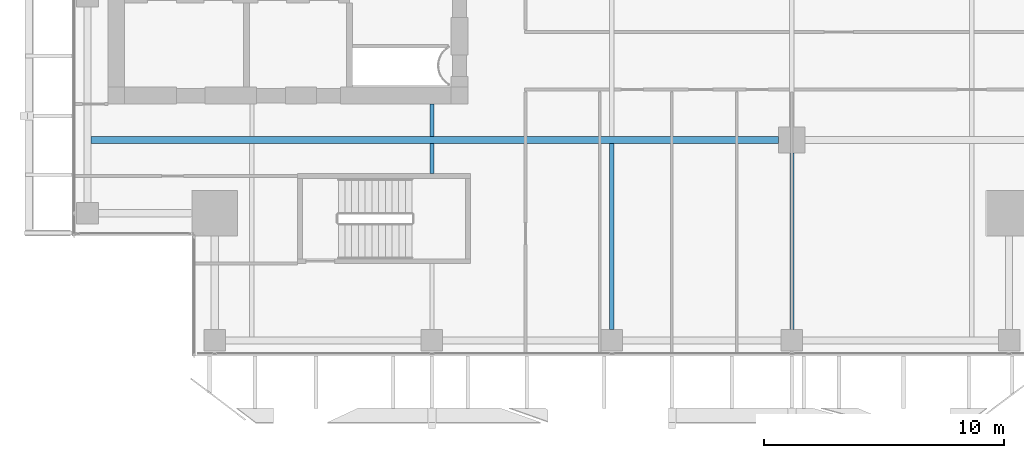
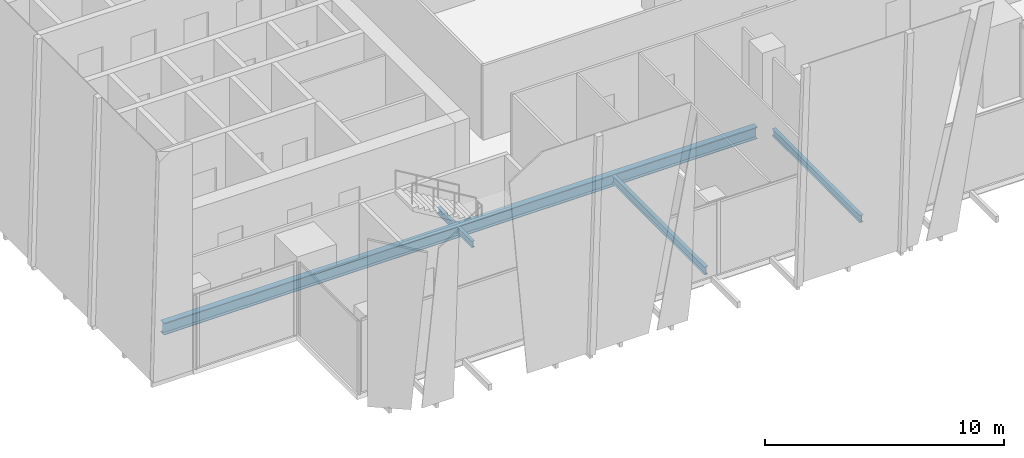
# One storey, part 5 of 35: 5 beams.
"""IFC4 building model written with IfcOpenShell, lengths in metres."""

from ifc_helpers import new_model, si_unit, direction, frame, origin, origin_2d, place, context, subcontext, project, spatial, i_section, extrude, source, transform, mapped, material, material_profile, profile_set, type_object, element, save


model = new_model("IFC4")

# Units and contexts
model_context = context("Model", 3, precision=1e-05, world=origin(), true_north=direction((0.0, 1.0)))
body_context = subcontext(model_context, "Body", "Model", "MODEL_VIEW")
ifc_project = project(units=[si_unit("LENGTHUNIT", "METRE"), si_unit("AREAUNIT", "SQUARE_METRE"), si_unit("VOLUMEUNIT", "CUBIC_METRE"), si_unit("PLANEANGLEUNIT", "RADIAN"), si_unit("MASSUNIT", "GRAM", prefix="KILO")], contexts=[model_context])

# Site, building, storey
site_placement = place(None, origin())
site = spatial("IfcSite", under=ifc_project, at=site_placement, CompositionType="ELEMENT")
building_placement = place(site_placement, origin())
building = spatial("IfcBuilding", under=site, at=building_placement, Name="Khomas Fold Tower", CompositionType="ELEMENT")
storey_placement = place(building_placement, frame((0.0, 0.0, 246.199951171875)))
storey = spatial("IfcBuildingStorey", under=building, at=storey_placement, Name="L55", CompositionType="ELEMENT", Elevation=246.199951171875)

# Beams
ifc_material_1 = material(Name="Steel S355", Category="steel")
ifc_material_profile_1 = material_profile(ifc_material_1, i_section(OverallWidth=0.159912109375, OverallDepth=0.330078125, WebThickness=0.007568359375, FlangeThickness=0.011474609375, at=origin_2d()), Name="IPE 330")
ifc_profile_set_1 = profile_set([ifc_material_profile_1], Name="Steel S355")
beam_type_1 = type_object("IfcBeamType", Name="IPE 330 beam JB1", PredefinedType="BEAM", material=ifc_profile_set_1)
shared_shape_1 = source(origin(), body_context, "Body", "SweptSolid", [
    extrude(i_section(OverallWidth=0.159912109375, OverallDepth=0.330078125, WebThickness=0.007568359375, FlangeThickness=0.011474609375, at=origin_2d()), origin(), (0.0, 0.0, 1.0), 1.25),
])
beam_1_placement = place(storey_placement, frame((19.5, 12.10009765625, -0.4150390625), z_axis=(0.0, 1.0, 0.0), x_axis=(-1.0, 0.0, 0.0)))
element("IfcBeam", 1, at=beam_1_placement, inside=storey, type_object=beam_type_1, Name="JB1", PredefinedType="BEAM", context=body_context, shape_type="MappedRepresentation", body=[
    mapped(shared_shape_1, transform((0.0, 0.0, 0.0))),
])
shared_shape_2 = source(origin(), body_context, "Body", "SweptSolid", [
    extrude(i_section(OverallWidth=0.159912109375, OverallDepth=0.330078125, WebThickness=0.007568359375, FlangeThickness=0.011474609375, at=origin_2d()), origin(), (0.0, 0.0, 1.0), 1.35009765625),
])
beam_2_placement = place(storey_placement, frame((19.5, 13.64990234375, -0.4150390625), z_axis=(0.0, 1.0, 0.0), x_axis=(-1.0, 0.0, 0.0)))
element("IfcBeam", 2, at=beam_2_placement, inside=storey, type_object=beam_type_1, Name="JB1", PredefinedType="BEAM", context=body_context, shape_type="MappedRepresentation", body=[
    mapped(shared_shape_2, transform((0.0, 0.0, 0.0))),
])
ifc_material_2 = material(Name="Steel S355", Category="steel")
ifc_material_profile_2 = material_profile(ifc_material_2, i_section(OverallWidth=0.300048828125, OverallDepth=0.60009765625, WebThickness=0.015380859375, FlangeThickness=0.030029296875, at=origin_2d()), Name="HE 600 B")
ifc_profile_set_2 = profile_set([ifc_material_profile_2], Name="Steel S355")
beam_type_2 = type_object("IfcBeamType", Name="HE 600 B beam GB5", PredefinedType="BEAM", material=ifc_profile_set_2)
shared_shape_3 = source(origin(), body_context, "Body", "SweptSolid", [
    extrude(i_section(OverallWidth=0.300048828125, OverallDepth=0.60009765625, WebThickness=0.015380859375, FlangeThickness=0.030029296875, at=origin_2d()), origin(), (0.0, 0.0, 1.0), 28.64990234375),
])
beam_3_placement = place(storey_placement, frame((5.300048828125, 13.5, -0.550048828125), z_axis=(1.0, 0.0, 0.0), x_axis=(0.0, 1.0, 0.0)))
element("IfcBeam", 3, at=beam_3_placement, inside=storey, type_object=beam_type_2, Name="GB5", PredefinedType="BEAM", context=body_context, shape_type="MappedRepresentation", body=[
    mapped(shared_shape_3, transform((0.0, 0.0, 0.0))),
])
ifc_material_3 = material(Name="Steel S355", Category="steel")
ifc_material_profile_3 = material_profile(ifc_material_3, i_section(OverallWidth=0.179931640625, OverallDepth=0.39990234375, WebThickness=0.008544921875, FlangeThickness=0.013427734375, at=origin_2d()), Name="IPE 400")
ifc_profile_set_3 = profile_set([ifc_material_profile_3], Name="Steel S355")
beam_type_3 = type_object("IfcBeamType", Name="IPE 400 beam JB3", PredefinedType="BEAM", material=ifc_profile_set_3)
shared_shape_4 = source(origin(), body_context, "Body", "SweptSolid", [
    extrude(i_section(OverallWidth=0.179931640625, OverallDepth=0.39990234375, WebThickness=0.008544921875, FlangeThickness=0.013427734375, at=origin_2d()), origin(), (0.0, 0.0, 1.0), 7.75),
])
beam_4_placement = place(storey_placement, frame((27.0, 5.60009765625, -0.449951171875), z_axis=(0.0, 1.0, 0.0), x_axis=(-1.0, 0.0, 0.0)))
element("IfcBeam", 4, at=beam_4_placement, inside=storey, type_object=beam_type_3, Name="JB3", PredefinedType="BEAM", context=body_context, shape_type="MappedRepresentation", body=[
    mapped(shared_shape_4, transform((0.0, 0.0, 0.0))),
])
ifc_material_4 = material(Name="Steel S355", Category="steel")
ifc_material_profile_4 = material_profile(ifc_material_4, i_section(OverallWidth=0.169921875, OverallDepth=0.360107421875, WebThickness=0.008056640625, FlangeThickness=0.0126953125, at=origin_2d()), Name="IPE 360")
ifc_profile_set_4 = profile_set([ifc_material_profile_4], Name="Steel S355")
beam_type_4 = type_object("IfcBeamType", Name="IPE 360 beam JB2", PredefinedType="BEAM", material=ifc_profile_set_4)
shared_shape_5 = source(origin(), body_context, "Body", "SweptSolid", [
    extrude(i_section(OverallWidth=0.169921875, OverallDepth=0.360107421875, WebThickness=0.008056640625, FlangeThickness=0.0126953125, at=origin_2d()), origin(), (0.0, 0.0, 1.0), 7.349853515625),
])
beam_5_placement = place(storey_placement, frame((34.5, 5.60009765625, -0.429931640625), z_axis=(0.0, 1.0, 0.0), x_axis=(-1.0, 0.0, 0.0)))
element("IfcBeam", 5, at=beam_5_placement, inside=storey, type_object=beam_type_4, Name="JB2", PredefinedType="BEAM", context=body_context, shape_type="MappedRepresentation", body=[
    mapped(shared_shape_5, transform((0.0, 0.0, 0.0))),
])

save(model, "model.ifc")
